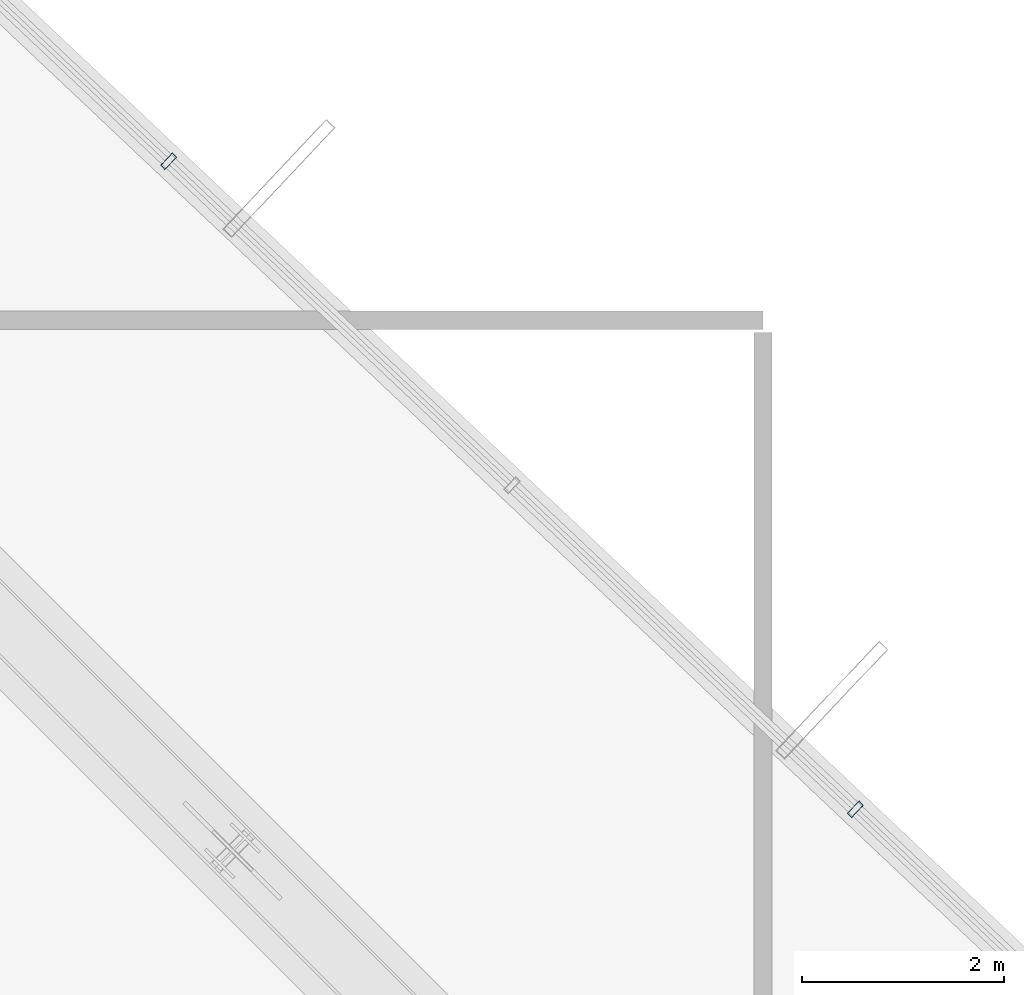
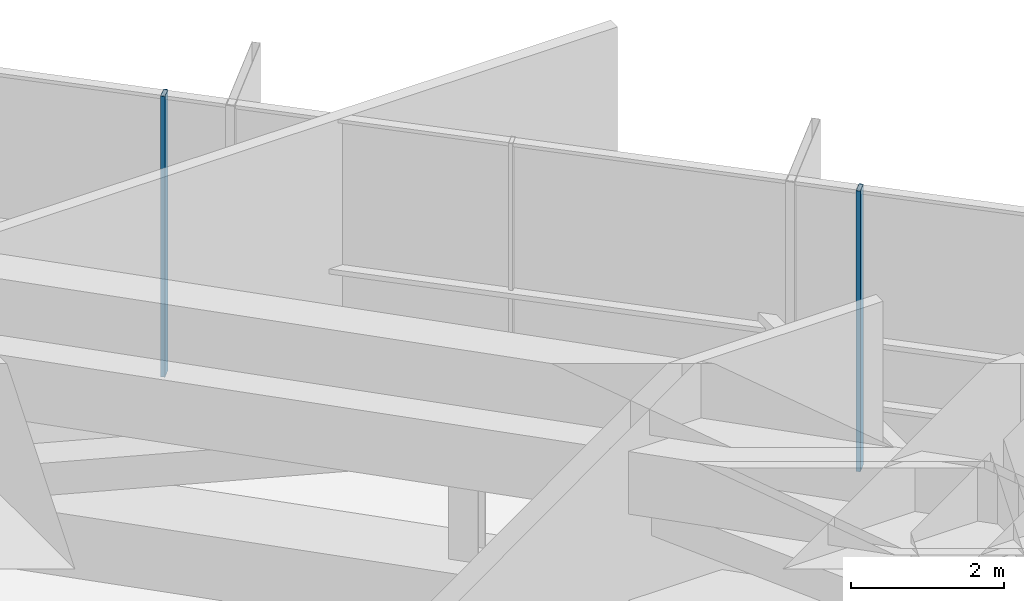
# One storey, part 33 of 41: 2 members, 1 element without a shape of its own.
"""IFC4 building model written with IfcOpenShell, lengths in metres."""

import ifcopenshell
import ifcopenshell.guid

model = None  # the IFC model being written
_history = None  # IfcOwnerHistory: only IFC2X3 demands one
_inside = {}  # id of a spatial element -> (the spatial element, [elements in it])
_under = {}  # id of a project, library or spatial element -> (it, [spatial elements below it])
_declared = {}  # id of a project -> (the project, [libraries it declares])
_typed = {}  # id of a type object -> (the type object, [elements of that type])
_made_of = {}  # id of a material, layer set ... -> (it, [elements and type objects made of it])


def new_model(schema):
    """Start an empty IFC model of exactly this schema.

    Asked for "IFC4X3", IfcOpenShell would pick the latest addendum, in which some entities
    have other attributes; the version numbers below select the first issue.
    IFC2X3 requires an IfcOwnerHistory on every rooted entity: one is made here for all.
    """
    global model, _history
    if schema == "IFC4X3":
        model = ifcopenshell.file(schema_version=(4, 3, 0, 0))
    else:
        model = ifcopenshell.file(schema=schema)
    _inside.clear()
    _under.clear()
    _declared.clear()
    _typed.clear()
    _made_of.clear()
    _history = None
    if model.schema == "IFC2X3":
        org = make("IfcOrganization", Name="unknown")
        user = make(
            "IfcPersonAndOrganization",
            ThePerson=make("IfcPerson", FamilyName="unknown"),
            TheOrganization=org,
        )
        app = make(
            "IfcApplication",
            ApplicationDeveloper=org,
            Version="unknown",
            ApplicationFullName="unknown",
            ApplicationIdentifier="unknown",
        )
        _history = make(
            "IfcOwnerHistory",
            OwningUser=user,
            OwningApplication=app,
            ChangeAction="ADDED",
            CreationDate=0,
        )
    return model


def make(cls, **values):
    """One entity of the class cls with the attributes given. An attribute that is None is left unset."""
    return model.create_entity(
        cls, **{name: value for name, value in values.items() if value is not None}
    )


def rooted(cls, **values):
    """An entity with a GlobalId (a new one), such as an element, a storey or a relation."""
    return make(cls, GlobalId=ifcopenshell.guid.new(), OwnerHistory=_history, **values)


def si_unit(unit_type, name, prefix=None):
    """IfcSIUnit, for example si_unit("LENGTHUNIT", "METRE", prefix="MILLI")."""
    return make("IfcSIUnit", UnitType=unit_type, Prefix=prefix, Name=name)


def assignment(units):
    """IfcUnitAssignment: the units of a project."""
    return None if units is None else make("IfcUnitAssignment", Units=units)


def point(xyz):
    """IfcCartesianPoint."""
    return None if xyz is None else make("IfcCartesianPoint", Coordinates=xyz)


def direction(xyz):
    """IfcDirection."""
    return None if xyz is None else make("IfcDirection", DirectionRatios=xyz)


def frame(location, z_axis=None, x_axis=None):
    """IfcAxis2Placement3D, a coordinate frame: its origin and axes. An axis left out is left unset."""
    return make(
        "IfcAxis2Placement3D",
        Location=point(location),
        Axis=direction(z_axis),
        RefDirection=direction(x_axis),
    )


def frame_2d(location, x_axis=None):
    """IfcAxis2Placement2D, a coordinate frame in the plane: its origin and x axis."""
    return make(
        "IfcAxis2Placement2D", Location=point(location), RefDirection=direction(x_axis)
    )


def origin():
    """The frame at (0, 0, 0) with its axes left unset."""
    return frame((0.0, 0.0, 0.0))


def origin_2d():
    """The frame at (0, 0) in the plane with its x axis left unset."""
    return frame_2d((0.0, 0.0))


def place(relative_to, where):
    """IfcLocalPlacement: puts the frame where relative to a parent placement (None: the world)."""
    return make(
        "IfcLocalPlacement", PlacementRelTo=relative_to, RelativePlacement=where
    )


def context(
    kind, dimensions, precision=None, world=None, true_north=None, identifier=None
):
    """IfcGeometricRepresentationContext, for example the 3D "Model" context."""
    return make(
        "IfcGeometricRepresentationContext",
        ContextIdentifier=identifier,
        ContextType=kind,
        CoordinateSpaceDimension=dimensions,
        Precision=precision,
        WorldCoordinateSystem=world,
        TrueNorth=true_north,
    )


def subcontext(parent, identifier, kind, view, scale=None):
    """IfcGeometricRepresentationSubContext, for example "Body" below "Model"."""
    return make(
        "IfcGeometricRepresentationSubContext",
        ContextIdentifier=identifier,
        ContextType=kind,
        ParentContext=parent,
        TargetScale=scale,
        TargetView=view,
    )


def project(units=None, contexts=None):
    """IfcProject with its units and contexts."""
    return rooted(
        "IfcProject",
        Name="project",
        RepresentationContexts=contexts,
        UnitsInContext=assignment(units),
    )


def spatial(cls, under=None, at=None, **own):
    """A site, building, storey or space (cls), placed at a placement, below another one or the project."""
    s = rooted(cls, ObjectPlacement=at, **own)
    if under is not None:
        _under.setdefault(under.id(), (under, []))[1].append(s)
    return s


def profile(cls, at=None, kind="AREA", **sizes):
    """A parametric profile (cls). Its sizes go by their IFC names, for example OverallWidth=200.0."""
    return make(cls, ProfileType=kind, Position=at, **sizes)


def hollow_rectangle(**sizes):
    """IfcRectangleHollowProfileDef."""
    return profile("IfcRectangleHollowProfileDef", **sizes)


def extrude(swept, where, along, depth):
    """IfcExtrudedAreaSolid: the profile swept, set in the frame where, extruded along a direction by depth."""
    return make(
        "IfcExtrudedAreaSolid",
        SweptArea=swept,
        Position=where,
        ExtrudedDirection=direction(along),
        Depth=depth,
    )


def shape(context_of_items, identifier, shape_type, items):
    """IfcShapeRepresentation: the items that make up one representation, for example the "Body"."""
    return make(
        "IfcShapeRepresentation",
        ContextOfItems=context_of_items,
        RepresentationIdentifier=identifier,
        RepresentationType=shape_type,
        Items=items,
    )


def source(mapping_origin, context_of_items, identifier, shape_type, items):
    """IfcRepresentationMap: a shape defined once, which mapped items show again and again."""
    return make(
        "IfcRepresentationMap",
        MappingOrigin=mapping_origin,
        MappedRepresentation=shape(context_of_items, identifier, shape_type, items),
    )


def transform(
    local_origin,
    x_axis=None,
    y_axis=None,
    z_axis=None,
    scale=None,
    scale2=None,
    scale3=None,
    uniform=True,
):
    """IfcCartesianTransformationOperator3D, or its non-uniform kind. x_axis, y_axis, z_axis: its Axis1, 2, 3."""
    if uniform:
        return make(
            "IfcCartesianTransformationOperator3D",
            Axis1=direction(x_axis),
            Axis2=direction(y_axis),
            LocalOrigin=point(local_origin),
            Scale=scale,
            Axis3=direction(z_axis),
        )
    return make(
        "IfcCartesianTransformationOperator3DnonUniform",
        Axis1=direction(x_axis),
        Axis2=direction(y_axis),
        LocalOrigin=point(local_origin),
        Scale=scale,
        Axis3=direction(z_axis),
        Scale2=scale2,
        Scale3=scale3,
    )


def mapped(mapping_source, mapping_target):
    """IfcMappedItem: shows the shape of a source again, moved by a transform."""
    return make(
        "IfcMappedItem", MappingSource=mapping_source, MappingTarget=mapping_target
    )


def material(Name=None, Category=None):
    """IfcMaterial."""
    return make("IfcMaterial", Name=Name, Category=Category)


def layer(
    of_material, thickness, ventilated=None, Name=None, Category=None, Priority=None
):
    """IfcMaterialLayer: one layer of a wall or slab, of a material (None: an air gap)."""
    return make(
        "IfcMaterialLayer",
        Material=of_material,
        LayerThickness=thickness,
        IsVentilated=ventilated,
        Name=Name,
        Category=Category,
        Priority=Priority,
    )


def layer_set(layers, Name=None):
    """IfcMaterialLayerSet."""
    return make("IfcMaterialLayerSet", MaterialLayers=layers, LayerSetName=Name)


def material_profile(
    of_material, cross_section, Name=None, Category=None, Priority=None
):
    """IfcMaterialProfile: a cross section and its material."""
    return make(
        "IfcMaterialProfile",
        Name=Name,
        Material=of_material,
        Profile=cross_section,
        Priority=Priority,
        Category=Category,
    )


def profile_set(profiles, Name=None, composite=None):
    """IfcMaterialProfileSet."""
    return make(
        "IfcMaterialProfileSet",
        Name=Name,
        MaterialProfiles=profiles,
        CompositeProfile=composite,
    )


def made_of(thing, what):
    """Note that an element or type object is made of a material, layer set ...; save() writes the relation."""
    if what is not None:
        _made_of.setdefault(what.id(), (what, []))[1].append(thing)
    return thing


def type_object(cls, material=None, **own):
    """A type object (cls), such as IfcWallType, which elements share."""
    return made_of(rooted(cls, **own), material)


def element(
    cls,
    number,
    at=None,
    inside=None,
    cuts=None,
    type_object=None,
    material=None,
    context=None,
    identifier="Body",
    shape_type=None,
    held_by="IfcProductDefinitionShape",
    body=None,
    shapes=None,
    **own,
):
    """One element of the class cls, such as IfcWall. Its Tag is "e" and its number.

    at: its placement. inside: the storey or other place that contains it. cuts: it is an
    opening in that element (IfcRelVoidsElement). A single representation is given by context,
    identifier, shape_type and body (its items); several are given by shapes. held_by: the class
    of the entity that holds the representations. save() writes the other relations.
    """
    e = rooted(cls, Tag="e%d" % number, ObjectPlacement=at, **own)
    if body is not None:
        shapes = [shape(context, identifier, shape_type, body)]
    if shapes is not None:
        e.Representation = make(held_by, Representations=shapes)
    if inside is not None:
        _inside.setdefault(inside.id(), (inside, []))[1].append(e)
    if cuts is not None:
        rooted(
            "IfcRelVoidsElement", RelatingBuildingElement=cuts, RelatedOpeningElement=e
        )
    if type_object is not None:
        _typed.setdefault(type_object.id(), (type_object, []))[1].append(e)
    return made_of(e, material)


def aggregate(whole, parts):
    """IfcRelAggregates: a whole, such as a stair, and the parts it consists of."""
    return rooted("IfcRelAggregates", RelatingObject=whole, RelatedObjects=parts)


def save(model, path):
    """Write the relations noted so far, then the file.

    IfcRelAggregates (storeys below a building ...), IfcRelContainedInSpatialStructure (elements
    in a storey), IfcRelDefinesByType, IfcRelAssociatesMaterial and IfcRelDeclares: one each for
    every whole, place, type object, material and project.
    """
    for whole, parts in _under.values():
        aggregate(whole, parts)
    for where, things in _inside.values():
        rooted(
            "IfcRelContainedInSpatialStructure",
            RelatedElements=things,
            RelatingStructure=where,
        )
    for kind, things in _typed.values():
        rooted("IfcRelDefinesByType", RelatedObjects=things, RelatingType=kind)
    for what, things in _made_of.values():
        rooted("IfcRelAssociatesMaterial", RelatedObjects=things, RelatingMaterial=what)
    for by, libraries in _declared.values():
        rooted("IfcRelDeclares", RelatingContext=by, RelatedDefinitions=libraries)
    model.write(path)


model = new_model("IFC4")

# Units and contexts
model_context = context("Model", 3, precision=1e-05, world=origin(), true_north=direction((0.0, 1.0)))
body_context = subcontext(model_context, "Body", "Model", "MODEL_VIEW")
ifc_project = project(units=[si_unit("LENGTHUNIT", "METRE"), si_unit("AREAUNIT", "SQUARE_METRE"), si_unit("VOLUMEUNIT", "CUBIC_METRE"), si_unit("PLANEANGLEUNIT", "RADIAN"), si_unit("MASSUNIT", "GRAM", prefix="KILO")], contexts=[model_context])

# Site, building, storey
site_placement = place(None, origin())
site = spatial("IfcSite", under=ifc_project, at=site_placement, CompositionType="ELEMENT")
building_placement = place(site_placement, origin())
building = spatial("IfcBuilding", under=site, at=building_placement, Name="Veraguas Prism Commons", CompositionType="ELEMENT")
storey_placement = place(building_placement, frame((0.0, 0.0, 80.35009765625)))
storey = spatial("IfcBuildingStorey", under=building, at=storey_placement, Name="L22", CompositionType="ELEMENT", Elevation=80.35009765625)

# Curtain wall, members
ifc_material = material(Name="Anodised aluminium EN AW-6063 T6", Category="aluminium")
ifc_layer = layer(ifc_material, 0.169921875, Name="Unitised Flush Curtain Wall Zone 1", Category="aluminium")
ifc_layer_set = layer_set([ifc_layer], Name="Anodised aluminium EN AW-6063 T6")
curtain_wall_type = type_object("IfcCurtainWallType", Name="Unitised Flush Curtain Wall Zone 1", PredefinedType="NOTDEFINED", material=ifc_layer_set)
curtain_wall_placement = place(storey_placement, origin())
curtain_wall = element("IfcCurtainWall", 1, at=curtain_wall_placement, inside=storey, type_object=curtain_wall_type, Name="Tower Facade Curtain Wall L22-F1", PredefinedType="NOTDEFINED")
ifc_material_profile = material_profile(ifc_material, hollow_rectangle(XDim=0.06005859375, YDim=0.169921875, WallThickness=0.00390625, at=origin_2d()), Name="AL60X170X4")
ifc_profile_set = profile_set([ifc_material_profile], Name="Anodised aluminium EN AW-6063 T6")
member_type = type_object("IfcMemberType", Name="Curtain Wall Mullion Lower AL 60x170x4", PredefinedType="MULLION", material=ifc_profile_set)
shared_shape = source(origin(), body_context, "Body", "SweptSolid", [
    extrude(hollow_rectangle(XDim=0.06005859375, YDim=0.169921875, WallThickness=0.00390625, at=origin_2d()), origin(), (0.0, 0.0, 1.0), 4.47998046875),
])
member_1_placement = place(storey_placement, frame((41.662109375, 35.91064453125, 0.0), z_axis=(0.0, 0.0, 1.0), x_axis=(-0.727294986673, 0.686324997621, 0.0)))
member_1 = element("IfcMember", 2, at=member_1_placement, type_object=member_type, Name="CW-Z1 Mullion 2", PredefinedType="MULLION", context=body_context, shape_type="MappedRepresentation", body=[
    mapped(shared_shape, transform((0.0, 0.0, 0.0), scale=1.0)),
])
member_2_placement = place(storey_placement, frame((34.867919921875, 42.322265625, 0.0), z_axis=(0.0, 0.0, 1.0), x_axis=(-0.727294986673, 0.686324997621, 0.0)))
member_2 = element("IfcMember", 3, at=member_2_placement, type_object=member_type, Name="CW-Z1 Mullion 4", PredefinedType="MULLION", context=body_context, shape_type="MappedRepresentation", body=[
    mapped(shared_shape, transform((0.0, 0.0, 0.0), scale=1.0)),
])
aggregate(curtain_wall, [member_1, member_2])

save(model, "model.ifc")
